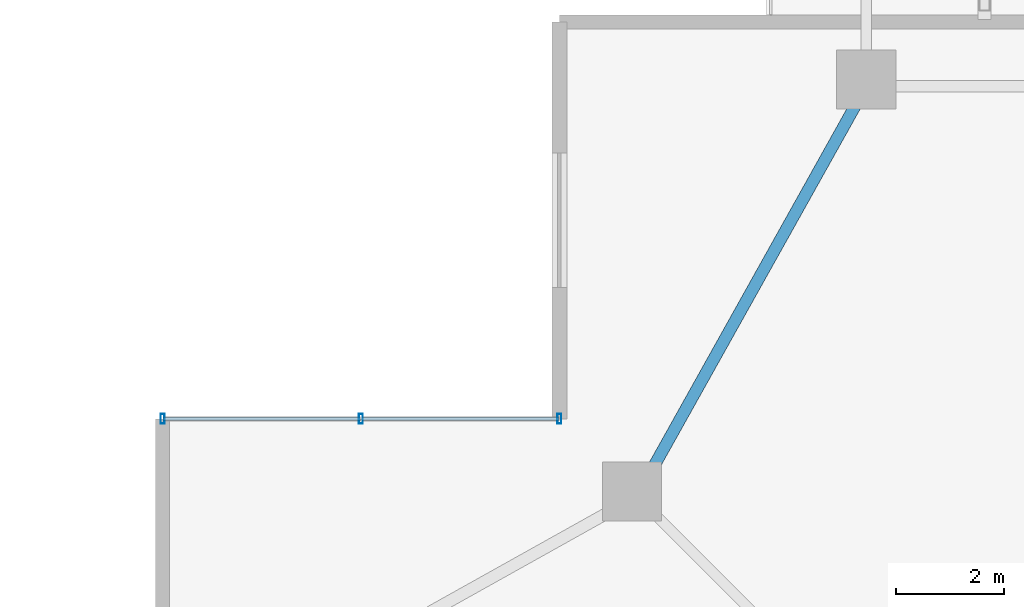
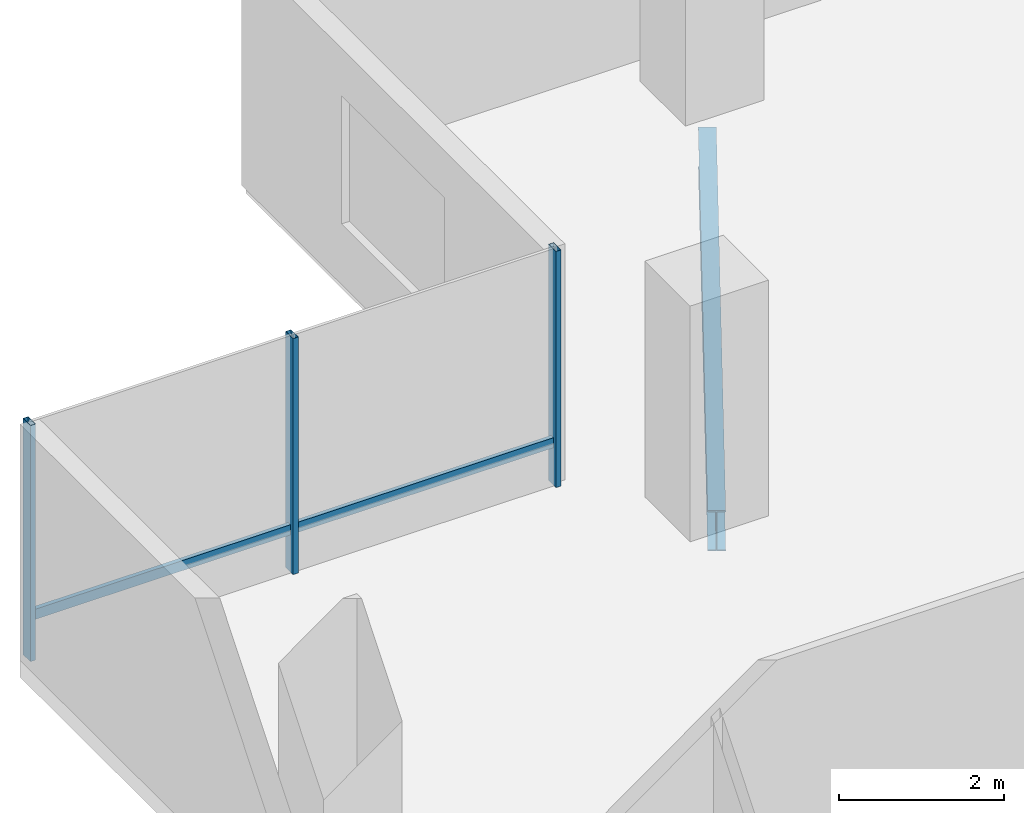
# One storey, part 14 of 29: 5 members, 1 beam, 1 element without a shape of its own.
"""IFC4 building model written with IfcOpenShell, lengths in metres."""

from ifc_helpers import new_model, si_unit, direction, frame, origin, origin_2d, place, context, subcontext, project, spatial, hollow_rectangle, i_section, extrude, material, layer, layer_set, material_profile, profile_set, type_object, element, aggregate, save


model = new_model("IFC4")

# Units and contexts
model_context = context("Model", 3, precision=1e-05, world=origin(), true_north=direction((0.0, 1.0)))
body_context = subcontext(model_context, "Body", "Model", "MODEL_VIEW")
ifc_project = project(units=[si_unit("LENGTHUNIT", "METRE"), si_unit("AREAUNIT", "SQUARE_METRE"), si_unit("VOLUMEUNIT", "CUBIC_METRE"), si_unit("PLANEANGLEUNIT", "RADIAN"), si_unit("MASSUNIT", "GRAM", prefix="KILO")], contexts=[model_context])

# Site, building, storey
site_placement = place(None, origin())
site = spatial("IfcSite", under=ifc_project, at=site_placement, CompositionType="ELEMENT")
building_placement = place(site_placement, origin())
building = spatial("IfcBuilding", under=site, at=building_placement, Name="Belovzor Exchange Tower", CompositionType="ELEMENT")
storey_placement = place(building_placement, frame((0.0, 0.0, 199.949951171875)))
storey = spatial("IfcBuildingStorey", under=building, at=storey_placement, Name="L49", CompositionType="ELEMENT", Elevation=199.949951171875)

# Curtain wall, members
ifc_material_1 = material(Name="Anodised Aluminium Framing", Category="aluminium")
ifc_layer = layer(ifc_material_1, 0.195068359375)
ifc_layer_set = layer_set([ifc_layer], Name="Anodised Aluminium Framing")
curtain_wall_type = type_object("IfcCurtainWallType", Name="Notched Re-Entrant Corner Unitised Curtain Wall", PredefinedType="NOTDEFINED", material=ifc_layer_set)
curtain_wall_placement = place(storey_placement, origin())
curtain_wall = element("IfcCurtainWall", 1, at=curtain_wall_placement, inside=storey, type_object=curtain_wall_type, Name="CW5 Notched Re-Entrant Corner Unitised Curtain Wall L49", PredefinedType="NOTDEFINED")
ifc_material_2 = material(Name="Steel S355", Category="steel")
ifc_material_profile_1 = material_profile(ifc_material_2, hollow_rectangle(XDim=0.074951171875, YDim=0.179931640625, WallThickness=0.0048828125, at=origin_2d()))
ifc_profile_set_1 = profile_set([ifc_material_profile_1], Name="Steel S355")
member_type_1 = type_object("IfcMemberType", Name="Thermally Broken Curtain Wall Mullion 180x75", PredefinedType="MULLION", material=ifc_profile_set_1)
member_1_placement = place(storey_placement, frame((1.929931640625, 48.300048828125, 0.0), z_axis=(0.0, 0.0, 1.0), x_axis=(1.0, 0.0, 0.0)))
member_1 = element("IfcMember", 2, at=member_1_placement, type_object=member_type_1, Name="CW-M180 Curtain Wall Mullion 1", PredefinedType="MULLION", context=body_context, shape_type="SweptSolid", body=[
    extrude(hollow_rectangle(XDim=0.074951171875, YDim=0.179931640625, WallThickness=0.0048828125, at=origin_2d()), origin(), (0.0, 0.0, 1.0), 3.5),
])
member_2_placement = place(storey_placement, frame((5.614990234375, 48.300048828125, 0.0), z_axis=(0.0, 0.0, 1.0), x_axis=(1.0, 0.0, 0.0)))
member_2 = element("IfcMember", 3, at=member_2_placement, type_object=member_type_1, Name="CW-M180 Curtain Wall Mullion 2", PredefinedType="MULLION", context=body_context, shape_type="SweptSolid", body=[
    extrude(hollow_rectangle(XDim=0.074951171875, YDim=0.179931640625, WallThickness=0.0048828125, at=origin_2d()), origin(), (0.0, 0.0, 1.0), 3.5),
])
member_3_placement = place(storey_placement, frame((9.300048828125, 48.300048828125, 0.0), z_axis=(0.0, 0.0, 1.0), x_axis=(1.0, 0.0, 0.0)))
member_3 = element("IfcMember", 4, at=member_3_placement, type_object=member_type_1, Name="CW-M180 Curtain Wall Mullion 3", PredefinedType="MULLION", context=body_context, shape_type="SweptSolid", body=[
    extrude(hollow_rectangle(XDim=0.074951171875, YDim=0.179931640625, WallThickness=0.0048828125, at=origin_2d()), origin(), (0.0, 0.0, 1.0), 3.5),
])
ifc_material_3 = material(Name="Steel S355", Category="steel")
ifc_material_profile_2 = material_profile(ifc_material_3, hollow_rectangle(XDim=0.06005859375, YDim=0.14990234375, WallThickness=0.00390625, at=origin_2d()))
ifc_profile_set_2 = profile_set([ifc_material_profile_2], Name="Steel S355")
member_type_2 = type_object("IfcMemberType", Name="Thermally Broken Curtain Wall Transom 150x60", PredefinedType="USERDEFINED", material=ifc_profile_set_2)
member_4_placement = place(storey_placement, frame((1.93798828125, 48.300048828125, 0.630126953125), z_axis=(1.0, 0.0, 0.0), x_axis=(0.0, 1.0, 0.0)))
member_4 = element("IfcMember", 5, at=member_4_placement, type_object=member_type_2, Name="CW-T150 Curtain Wall Transom 1", ObjectType="TRANSOM", PredefinedType="USERDEFINED", context=body_context, shape_type="SweptSolid", body=[
    extrude(hollow_rectangle(XDim=0.06005859375, YDim=0.14990234375, WallThickness=0.00390625, at=origin_2d()), origin(), (0.0, 0.0, 1.0), 3.6689453125),
])
member_5_placement = place(storey_placement, frame((5.623046875, 48.300048828125, 0.630126953125), z_axis=(1.0, 0.0, 0.0), x_axis=(0.0, 1.0, 0.0)))
member_5 = element("IfcMember", 6, at=member_5_placement, type_object=member_type_2, Name="CW-T150 Curtain Wall Transom 2", ObjectType="TRANSOM", PredefinedType="USERDEFINED", context=body_context, shape_type="SweptSolid", body=[
    extrude(hollow_rectangle(XDim=0.06005859375, YDim=0.14990234375, WallThickness=0.00390625, at=origin_2d()), origin(), (0.0, 0.0, 1.0), 3.6689453125),
])
aggregate(curtain_wall, [member_1, member_2, member_3, member_4, member_5])

# Beam
ifc_material_4 = material(Name="Steel S355", Category="steel")
ifc_material_profile_3 = material_profile(ifc_material_4, i_section(OverallWidth=0.219970703125, OverallDepth=0.60009765625, WebThickness=0.011962890625, FlangeThickness=0.01904296875, at=origin_2d()))
ifc_profile_set_3 = profile_set([ifc_material_profile_3], Name="Steel S355")
beam_type = type_object("IfcBeamType", Name="Zone 4 Flare Primary Girder IPE 600", PredefinedType="BEAM", material=ifc_profile_set_3)
beam_placement = place(storey_placement, frame((14.85205078125, 54.214111328125, -0.550048828125), z_axis=(-0.487723688606, -0.872998054736, 0.0), x_axis=(0.872998054736, -0.487723688606, 0.0)))
element("IfcBeam", 7, at=beam_placement, inside=storey, type_object=beam_type, Name="FG-Z4 Zone 4 Flare Primary Girder IPE 600", PredefinedType="BEAM", context=body_context, shape_type="SweptSolid", body=[
    extrude(i_section(OverallWidth=0.219970703125, OverallDepth=0.60009765625, WebThickness=0.011962890625, FlangeThickness=0.01904296875, at=origin_2d()), origin(), (0.0, 0.0, 1.0), 8.123779296875),
])

save(model, "model.ifc")
